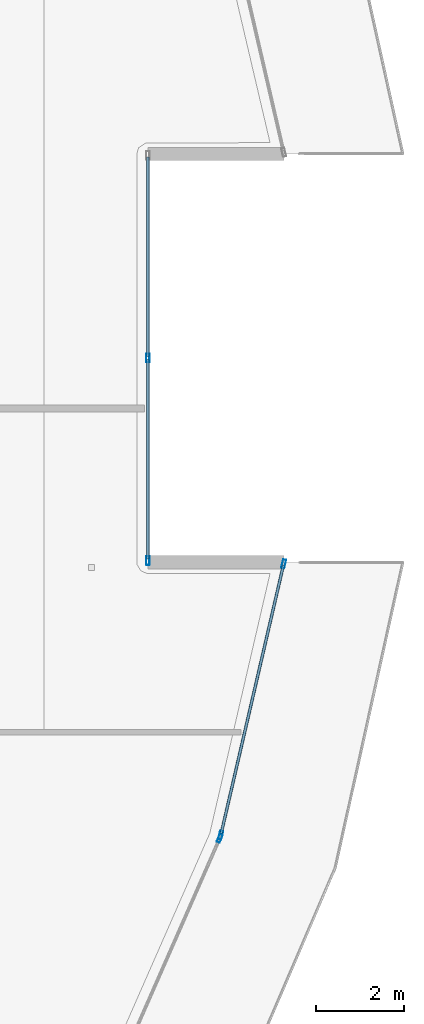
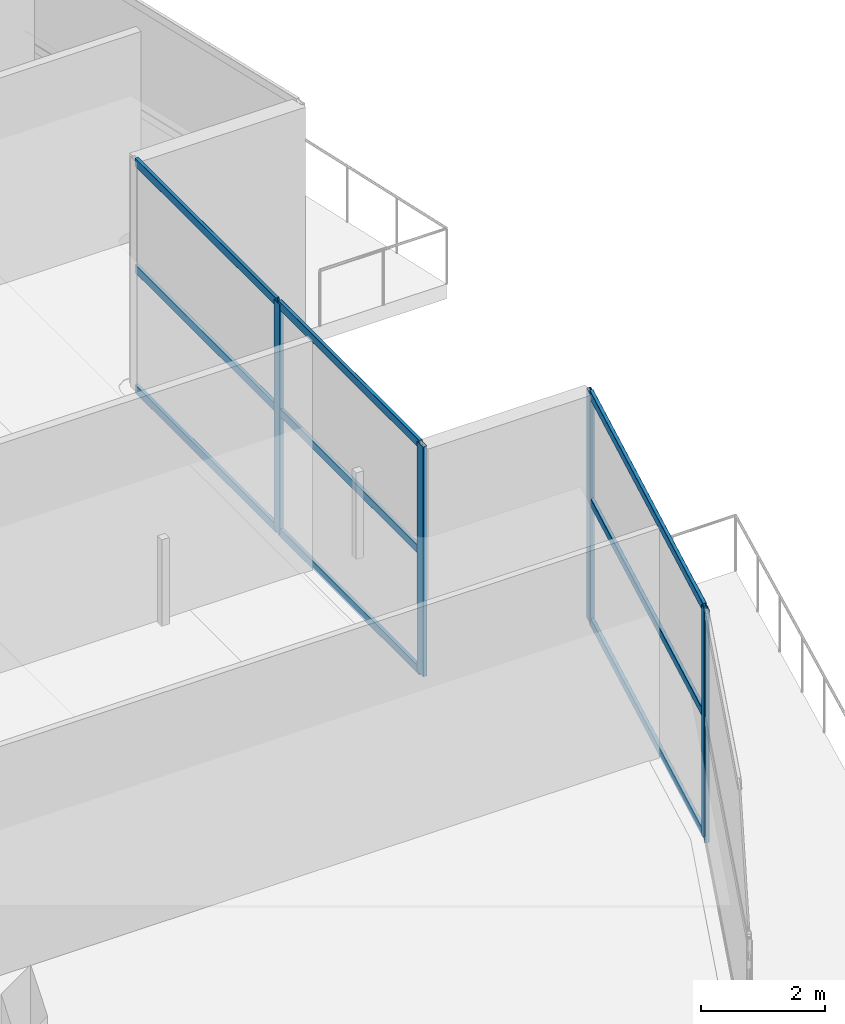
# One storey, part 13 of 36: 14 members, 3 elements without a shape of their own.
"""IFC4 building model written with IfcOpenShell, lengths in metres."""

from ifc_helpers import new_model, si_unit, direction, frame, origin, origin_2d, place, context, subcontext, project, spatial, hollow_rectangle, extrude, material, layer, layer_set, material_profile, profile_set, type_object, element, aggregate, save


model = new_model("IFC4")

# Units and contexts
model_context = context("Model", 3, precision=1e-05, world=origin(), true_north=direction((0.0, 1.0)))
body_context = subcontext(model_context, "Body", "Model", "MODEL_VIEW")
ifc_project = project(units=[si_unit("LENGTHUNIT", "METRE"), si_unit("AREAUNIT", "SQUARE_METRE"), si_unit("VOLUMEUNIT", "CUBIC_METRE"), si_unit("PLANEANGLEUNIT", "RADIAN"), si_unit("MASSUNIT", "GRAM", prefix="KILO")], contexts=[model_context])

# Site, building, storey
site_placement = place(None, origin())
site = spatial("IfcSite", under=ifc_project, at=site_placement, CompositionType="ELEMENT")
building_placement = place(site_placement, origin())
building = spatial("IfcBuilding", under=site, at=building_placement, Name="Qorvath Tower", CompositionType="ELEMENT")
storey_placement = place(building_placement, frame((0.0, 0.0, 180.0)))
storey = spatial("IfcBuildingStorey", under=building, at=storey_placement, Name="L41", CompositionType="ELEMENT", Elevation=180.0)

# Curtain wall, member
ifc_material_1 = material(Name="Anodised aluminium and triple low-E glass", Category="aluminium")
ifc_layer = layer(ifc_material_1, 0.179931640625)
ifc_layer_set = layer_set([ifc_layer], Name="CW-SYS-5")
curtain_wall_type = type_object("IfcCurtainWallType", Name="CW-SYS-5", PredefinedType="NOTDEFINED", material=ifc_layer_set)
curtain_wall_1_placement = place(storey_placement, origin())
curtain_wall_1 = element("IfcCurtainWall", 1, at=curtain_wall_1_placement, inside=storey, type_object=curtain_wall_type, Name="Curtain Wall CW-5 CW-T-L41-6.1", PredefinedType="NOTDEFINED")
ifc_material_2 = material(Name="Anodised aluminium 6063-T6", Category="aluminium")
ifc_material_profile_1 = material_profile(ifc_material_2, hollow_rectangle(XDim=0.074951171875, YDim=0.199951171875, WallThickness=0.00390625, InnerFilletRadius=0.00390625, OuterFilletRadius=0.008056640625, at=origin_2d()), Name="CWM 200x75")
ifc_profile_set_1 = profile_set([ifc_material_profile_1], Name="Anodised aluminium 6063-T6")
member_type_1 = type_object("IfcMemberType", Name="CWM-200", PredefinedType="MULLION", material=ifc_profile_set_1)
member_1_placement = place(storey_placement, frame((1.195068359375, -10.971923828125, 0.0), z_axis=(0.0, 0.0, 1.0), x_axis=(-0.915612514038, 0.402061841186, 0.0)))
member_1 = element("IfcMember", 2, at=member_1_placement, type_object=member_type_1, Name="CW-5 mullion 2", PredefinedType="MULLION", context=body_context, shape_type="SweptSolid", body=[
    extrude(hollow_rectangle(XDim=0.074951171875, YDim=0.199951171875, WallThickness=0.00390625, InnerFilletRadius=0.00390625, OuterFilletRadius=0.008056640625, at=origin_2d()), origin(), (0.0, 0.0, 1.0), 4.530029296875),
])
aggregate(curtain_wall_1, [member_1])

# Curtain wall, members
curtain_wall_2_placement = place(storey_placement, origin())
curtain_wall_2 = element("IfcCurtainWall", 3, at=curtain_wall_2_placement, inside=storey, type_object=curtain_wall_type, Name="Curtain Wall CW-5 CW-T-L41-7.1", PredefinedType="NOTDEFINED")
member_2_placement = place(storey_placement, frame((1.21875, -10.90087890625, 0.0), z_axis=(0.0, 0.0, 1.0), x_axis=(-0.974145075088, 0.2259233779, 0.0)))
member_2 = element("IfcMember", 4, at=member_2_placement, type_object=member_type_1, Name="CW-5 mullion 1", PredefinedType="MULLION", context=body_context, shape_type="SweptSolid", body=[
    extrude(hollow_rectangle(XDim=0.074951171875, YDim=0.199951171875, WallThickness=0.00390625, InnerFilletRadius=0.00390625, OuterFilletRadius=0.008056640625, at=origin_2d()), origin(), (0.0, 0.0, 1.0), 4.530029296875),
])
member_3_placement = place(storey_placement, frame((2.65625, -4.7021484375, 0.0), z_axis=(0.0, 0.0, 1.0), x_axis=(-0.974145075088, 0.2259233779, 0.0)))
member_3 = element("IfcMember", 5, at=member_3_placement, type_object=member_type_1, Name="CW-5 mullion 2", PredefinedType="MULLION", context=body_context, shape_type="SweptSolid", body=[
    extrude(hollow_rectangle(XDim=0.074951171875, YDim=0.199951171875, WallThickness=0.00390625, InnerFilletRadius=0.00390625, OuterFilletRadius=0.008056640625, at=origin_2d()), origin(), (0.0, 0.0, 1.0), 4.530029296875),
])

curtain_wall_3_placement = place(storey_placement, origin())
curtain_wall_3 = element("IfcCurtainWall", 6, at=curtain_wall_3_placement, inside=storey, type_object=curtain_wall_type, Name="Curtain Wall CW-5 CW-T-L41-9.1", PredefinedType="NOTDEFINED")
member_4_placement = place(storey_placement, frame((-0.445556640625, -4.6279296875, 0.0), z_axis=(0.0, 0.0, 1.0), x_axis=(-1.0, 0.0, 0.0)))
member_4 = element("IfcMember", 7, at=member_4_placement, type_object=member_type_1, Name="CW-5 mullion 1", PredefinedType="MULLION", context=body_context, shape_type="SweptSolid", body=[
    extrude(hollow_rectangle(XDim=0.074951171875, YDim=0.199951171875, WallThickness=0.00390625, InnerFilletRadius=0.00390625, OuterFilletRadius=0.008056640625, at=origin_2d()), origin(), (0.0, 0.0, 1.0), 4.530029296875),
])
member_5_placement = place(storey_placement, frame((-0.445556640625, 0.0, 0.0), z_axis=(0.0, 0.0, 1.0), x_axis=(-1.0, 0.0, 0.0)))
member_5 = element("IfcMember", 8, at=member_5_placement, type_object=member_type_1, Name="CW-5 mullion 2", PredefinedType="MULLION", context=body_context, shape_type="SweptSolid", body=[
    extrude(hollow_rectangle(XDim=0.074951171875, YDim=0.199951171875, WallThickness=0.00390625, InnerFilletRadius=0.00390625, OuterFilletRadius=0.008056640625, at=origin_2d()), origin(), (0.0, 0.0, 1.0), 4.530029296875),
])

# Member
ifc_material_3 = material(Name="Anodised aluminium 6063-T6", Category="aluminium")
ifc_material_profile_2 = material_profile(ifc_material_3, hollow_rectangle(XDim=0.06494140625, YDim=0.159912109375, WallThickness=0.00341796875, InnerFilletRadius=0.00341796875, OuterFilletRadius=0.007080078125, at=origin_2d()), Name="CWT 160x65")
ifc_profile_set_2 = profile_set([ifc_material_profile_2], Name="Anodised aluminium 6063-T6")
member_type_2 = type_object("IfcMemberType", Name="CWT-160", PredefinedType="USERDEFINED", material=ifc_profile_set_2)
member_6_placement = place(storey_placement, frame((1.22705078125, -10.864501953125, 0.032470703125), z_axis=(0.225948146921, 0.974139330334, 0.0), x_axis=(-0.974139330334, 0.225948146921, 0.0)))
member_6 = element("IfcMember", 9, at=member_6_placement, type_object=member_type_2, Name="CW-5 transom 1.1", ObjectType="TRANSOM", PredefinedType="USERDEFINED", context=body_context, shape_type="SweptSolid", body=[
    extrude(hollow_rectangle(XDim=0.06494140625, YDim=0.159912109375, WallThickness=0.00341796875, InnerFilletRadius=0.00341796875, OuterFilletRadius=0.007080078125, at=origin_2d()), origin(), (0.0, 0.0, 1.0), 6.28857421875),
])

member_7_placement = place(storey_placement, frame((1.22705078125, -10.864501953125, 2.39990234375), z_axis=(0.225948146921, 0.974139330334, 0.0), x_axis=(-0.974139330334, 0.225948146921, 0.0)))
member_7 = element("IfcMember", 10, at=member_7_placement, type_object=member_type_2, Name="CW-5 transom 1.2", ObjectType="TRANSOM", PredefinedType="USERDEFINED", context=body_context, shape_type="SweptSolid", body=[
    extrude(hollow_rectangle(XDim=0.06494140625, YDim=0.159912109375, WallThickness=0.00341796875, InnerFilletRadius=0.00341796875, OuterFilletRadius=0.007080078125, at=origin_2d()), origin(), (0.0, 0.0, 1.0), 6.28857421875),
])

member_8_placement = place(storey_placement, frame((1.22705078125, -10.864501953125, 4.49755859375), z_axis=(0.225948146921, 0.974139330334, 0.0), x_axis=(-0.974139330334, 0.225948146921, 0.0)))
member_8 = element("IfcMember", 11, at=member_8_placement, type_object=member_type_2, Name="CW-5 transom 1.3", ObjectType="TRANSOM", PredefinedType="USERDEFINED", context=body_context, shape_type="SweptSolid", body=[
    extrude(hollow_rectangle(XDim=0.06494140625, YDim=0.159912109375, WallThickness=0.00341796875, InnerFilletRadius=0.00341796875, OuterFilletRadius=0.007080078125, at=origin_2d()), origin(), (0.0, 0.0, 1.0), 6.28857421875),
])

aggregate(curtain_wall_2, [member_2, member_3, member_6, member_7, member_8])

member_9_placement = place(storey_placement, frame((-0.445556640625, -4.590576171875, 0.032470703125), z_axis=(0.0, 1.0, 0.0), x_axis=(-1.0, 0.0, 0.0)))
member_9 = element("IfcMember", 12, at=member_9_placement, type_object=member_type_2, Name="CW-5 transom 1.1", ObjectType="TRANSOM", PredefinedType="USERDEFINED", context=body_context, shape_type="SweptSolid", body=[
    extrude(hollow_rectangle(XDim=0.06494140625, YDim=0.159912109375, WallThickness=0.00341796875, InnerFilletRadius=0.00341796875, OuterFilletRadius=0.007080078125, at=origin_2d()), origin(), (0.0, 0.0, 1.0), 4.552978515625),
])

member_10_placement = place(storey_placement, frame((-0.445556640625, -4.590576171875, 2.39990234375), z_axis=(0.0, 1.0, 0.0), x_axis=(-1.0, 0.0, 0.0)))
member_10 = element("IfcMember", 13, at=member_10_placement, type_object=member_type_2, Name="CW-5 transom 1.2", ObjectType="TRANSOM", PredefinedType="USERDEFINED", context=body_context, shape_type="SweptSolid", body=[
    extrude(hollow_rectangle(XDim=0.06494140625, YDim=0.159912109375, WallThickness=0.00341796875, InnerFilletRadius=0.00341796875, OuterFilletRadius=0.007080078125, at=origin_2d()), origin(), (0.0, 0.0, 1.0), 4.552978515625),
])

member_11_placement = place(storey_placement, frame((-0.445556640625, -4.590576171875, 4.49755859375), z_axis=(0.0, 1.0, 0.0), x_axis=(-1.0, 0.0, 0.0)))
member_11 = element("IfcMember", 14, at=member_11_placement, type_object=member_type_2, Name="CW-5 transom 1.3", ObjectType="TRANSOM", PredefinedType="USERDEFINED", context=body_context, shape_type="SweptSolid", body=[
    extrude(hollow_rectangle(XDim=0.06494140625, YDim=0.159912109375, WallThickness=0.00341796875, InnerFilletRadius=0.00341796875, OuterFilletRadius=0.007080078125, at=origin_2d()), origin(), (0.0, 0.0, 1.0), 4.552978515625),
])

member_12_placement = place(storey_placement, frame((-0.445556640625, 0.03759765625, 0.032470703125), z_axis=(0.0, 1.0, 0.0), x_axis=(-1.0, 0.0, 0.0)))
member_12 = element("IfcMember", 15, at=member_12_placement, type_object=member_type_2, Name="CW-5 transom 2.1", ObjectType="TRANSOM", PredefinedType="USERDEFINED", context=body_context, shape_type="SweptSolid", body=[
    extrude(hollow_rectangle(XDim=0.06494140625, YDim=0.159912109375, WallThickness=0.00341796875, InnerFilletRadius=0.00341796875, OuterFilletRadius=0.007080078125, at=origin_2d()), origin(), (0.0, 0.0, 1.0), 4.552978515625),
])

member_13_placement = place(storey_placement, frame((-0.445556640625, 0.03759765625, 2.39990234375), z_axis=(0.0, 1.0, 0.0), x_axis=(-1.0, 0.0, 0.0)))
member_13 = element("IfcMember", 16, at=member_13_placement, type_object=member_type_2, Name="CW-5 transom 2.2", ObjectType="TRANSOM", PredefinedType="USERDEFINED", context=body_context, shape_type="SweptSolid", body=[
    extrude(hollow_rectangle(XDim=0.06494140625, YDim=0.159912109375, WallThickness=0.00341796875, InnerFilletRadius=0.00341796875, OuterFilletRadius=0.007080078125, at=origin_2d()), origin(), (0.0, 0.0, 1.0), 4.552978515625),
])

member_14_placement = place(storey_placement, frame((-0.445556640625, 0.03759765625, 4.49755859375), z_axis=(0.0, 1.0, 0.0), x_axis=(-1.0, 0.0, 0.0)))
member_14 = element("IfcMember", 17, at=member_14_placement, type_object=member_type_2, Name="CW-5 transom 2.3", ObjectType="TRANSOM", PredefinedType="USERDEFINED", context=body_context, shape_type="SweptSolid", body=[
    extrude(hollow_rectangle(XDim=0.06494140625, YDim=0.159912109375, WallThickness=0.00341796875, InnerFilletRadius=0.00341796875, OuterFilletRadius=0.007080078125, at=origin_2d()), origin(), (0.0, 0.0, 1.0), 4.552978515625),
])

aggregate(curtain_wall_3, [member_4, member_5, member_9, member_10, member_11, member_12, member_13, member_14])

save(model, "model.ifc")
